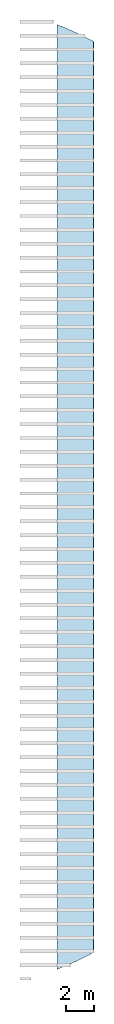
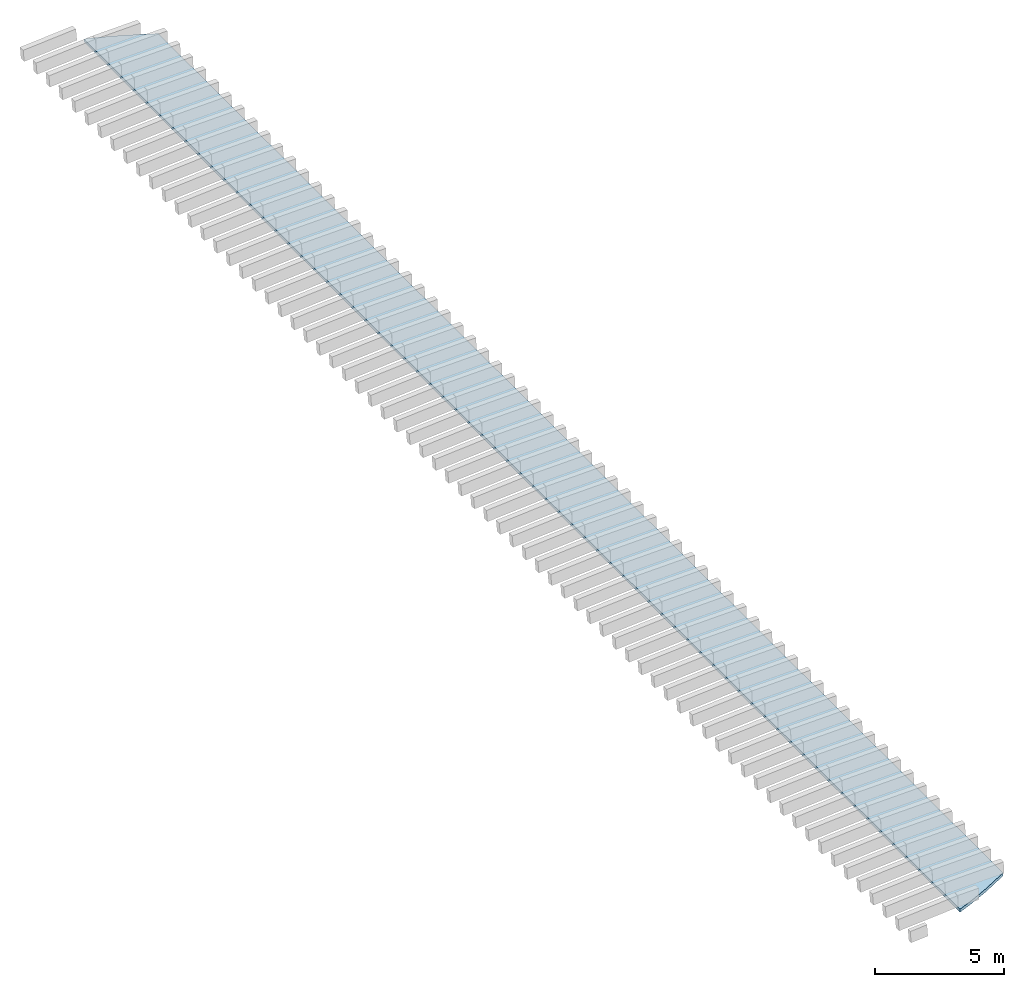
# One storey, part 1 of 2: 1 slab.
"""IFC4 building model written with IfcOpenShell, lengths in metres."""

from ifc_helpers import new_model, si_unit, direction, frame, origin, place, context, subcontext, project, spatial, polyline, outline, extrude, material, layer, layer_set, type_object, element, save


model = new_model("IFC4")

# Units and contexts
model_context = context("Model", 3, precision=1e-05, world=origin(), true_north=direction((0.0, 1.0)))
body_context = subcontext(model_context, "Body", "Model", "MODEL_VIEW")
ifc_project = project(units=[si_unit("LENGTHUNIT", "METRE"), si_unit("AREAUNIT", "SQUARE_METRE"), si_unit("VOLUMEUNIT", "CUBIC_METRE"), si_unit("PLANEANGLEUNIT", "RADIAN"), si_unit("MASSUNIT", "GRAM", prefix="KILO")], contexts=[model_context])

# Site, building, storey
site_placement = place(None, origin())
site = spatial("IfcSite", under=ifc_project, at=site_placement, CompositionType="ELEMENT")
building_placement = place(site_placement, origin())
building = spatial("IfcBuilding", under=site, at=building_placement, Name="Wasatch Bagh Community Centre", CompositionType="ELEMENT")
storey_placement = place(building_placement, frame((0.0, 0.0, 35.448974609375)))
storey = spatial("IfcBuildingStorey", under=building, at=storey_placement, Name="Upper Roof 2", CompositionType="ELEMENT", Elevation=35.448974609375)

# Slab
ifc_material = material(Name="ASTM A653 Grade 50 steel roof deck assembly", Category="steel")
ifc_layer = layer(ifc_material, 0.139892578125)
ifc_layer_set = layer_set([ifc_layer], Name="ASTM A653 Grade 50 steel roof deck assembly")
slab_type = type_object("IfcSlabType", Name="MH roof deck", PredefinedType="ROOF", material=ifc_layer_set)
slab_placement = place(storey_placement, frame((44.1875, 83.801025390625, -0.052001953125), z_axis=(-0.025886047728, 0.0, 0.999664900121), x_axis=(0.913977323611, -0.405074457318, 0.023667191495)))
element("IfcSlab", 1, at=slab_placement, inside=storey, type_object=slab_type, Name="Roof deck 12", PredefinedType="ROOF", context=body_context, shape_type="SweptSolid", body=[
    extrude(outline(polyline([(0.0, 0.0), (0.9992858076771978, 8.836247705756861e-17), (2.2454982680567834, -0.07378102542091287), (28.837805671853953, -60.09463093251179), (28.055213586451128, -61.06727617307094), (27.383864033770294, -61.80745311376844), (26.91558691214751, -62.275277499465275), (-0.6611226274258286, -0.032557487518263255), (0.0, 0.0)])), origin(), (0.0, 0.0, -1.0), 0.139892578125),
])

save(model, "model.ifc")
